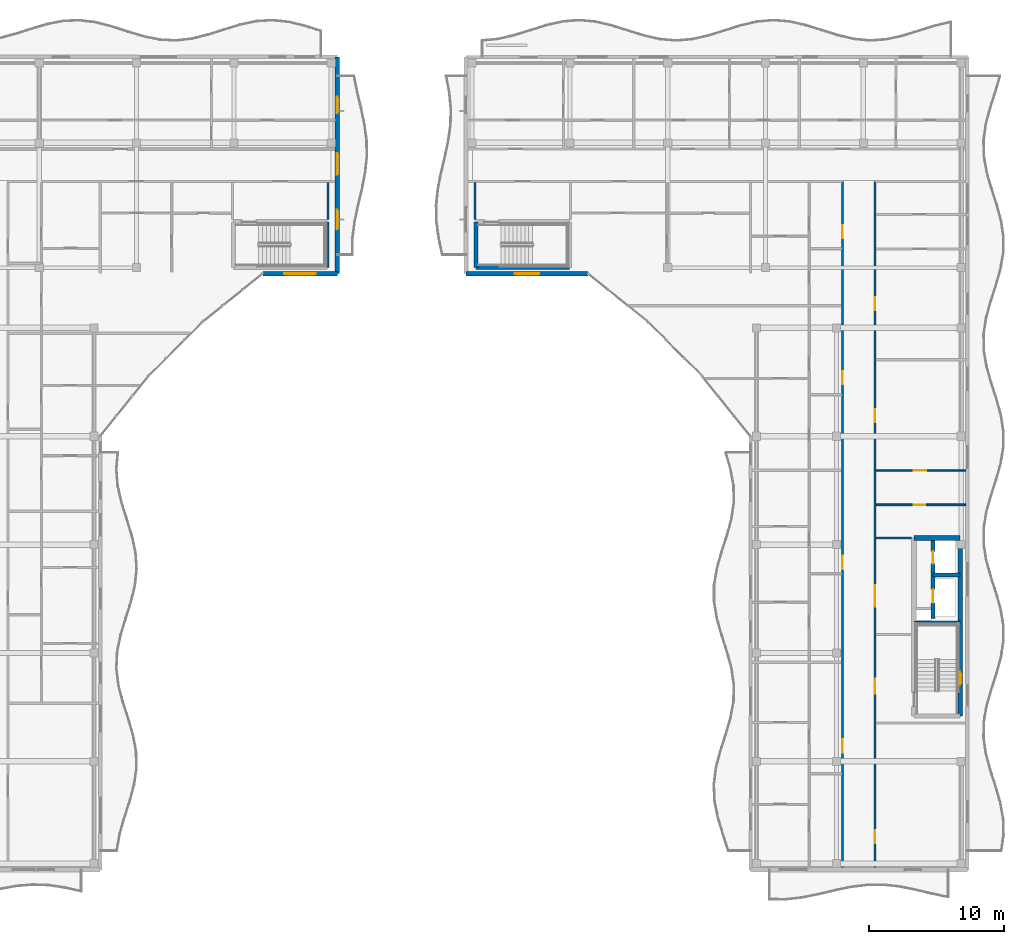
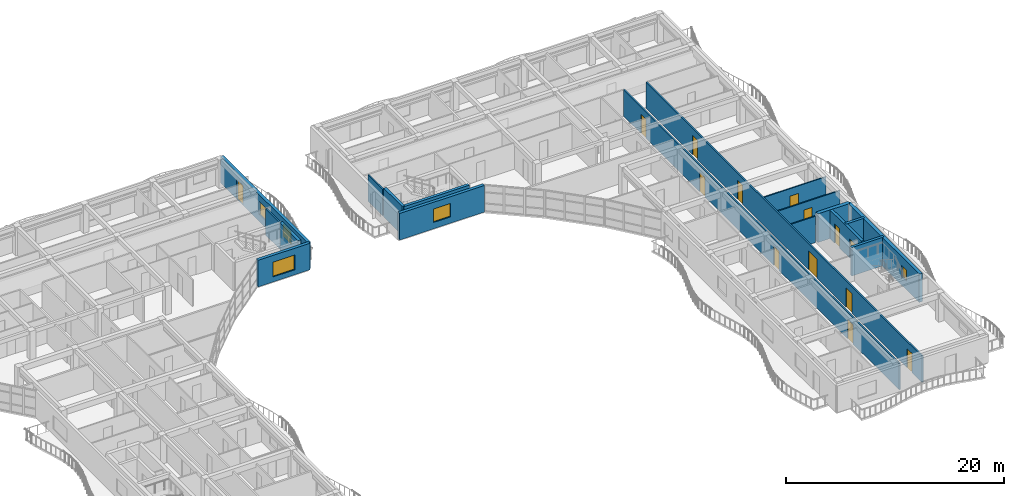
# One storey, part 44 of 76: 18 walls, 14 doors, 5 windows, 19 openings.
"""IFC4 building model written with IfcOpenShell, lengths in metres."""

from ifc_helpers import new_model, si_unit, direction, frame, frame_2d, origin, place, context, subcontext, project, spatial, rectangle, extrude, material, layer, layer_set, type_object, element, fill, save


model = new_model("IFC4")

# Units and contexts
model_context = context("Model", 3, precision=1e-05, world=origin(), true_north=direction((0.0, 1.0)))
body_context = subcontext(model_context, "Body", "Model", "MODEL_VIEW")
ifc_project = project(units=[si_unit("LENGTHUNIT", "METRE"), si_unit("AREAUNIT", "SQUARE_METRE"), si_unit("VOLUMEUNIT", "CUBIC_METRE"), si_unit("PLANEANGLEUNIT", "RADIAN"), si_unit("MASSUNIT", "GRAM", prefix="KILO")], contexts=[model_context])

# Site, building, storey
site_placement = place(None, origin())
site = spatial("IfcSite", under=ifc_project, at=site_placement, CompositionType="ELEMENT")
building_placement = place(site_placement, origin())
building = spatial("IfcBuilding", under=site, at=building_placement, Name="Keldmere Railside Commons", CompositionType="ELEMENT")
storey_placement = place(building_placement, frame((0.0, 0.0, 13.760009765625)))
storey = spatial("IfcBuildingStorey", under=building, at=storey_placement, Name="L04", CompositionType="ELEMENT", Elevation=13.760009765625)

# Wall, opening, door
ifc_material_1 = material(Name="Acoustic Gypsum Board Partition", Category="gypsum")
ifc_layer_1 = layer(ifc_material_1, 0.1201171875, Name="Apartment Interior Partition 120")
ifc_layer_set_1 = layer_set([ifc_layer_1], Name="Acoustic Gypsum Board Partition")
wall_type_1 = type_object("IfcWallType", Name="Apartment Interior Partition 120", PredefinedType="PARTITIONING", material=ifc_layer_set_1)
wall_1_placement = place(storey_placement, frame((177.280029296875, 85.47998046875, 0.0), z_axis=(0.0, 0.0, 1.0), x_axis=(1.0, 0.0, 0.0)))
wall_1 = element("IfcWall", 1, at=wall_1_placement, inside=storey, type_object=wall_type_1, Name="IW-4 IW-L04-1590", PredefinedType="PARTITIONING", context=body_context, shape_type="SweptSolid", body=[
    extrude(rectangle(XDim=6.599853515625, YDim=0.1201171875, at=frame_2d((3.2998046875, 0.0))), origin(), (0.0, 0.0, 1.0), 2.93505859375),
])
opening_1_placement = place(wall_1_placement, frame((2.77197265625, 0.0, 0.0)))
opening_1 = element("IfcOpeningElement", 2, at=opening_1_placement, cuts=wall_1, Name="Opening ID-03", PredefinedType="OPENING", context=body_context, shape_type="SweptSolid", body=[
    extrude(rectangle(XDim=0.919921875, YDim=2.10009765625, at=frame_2d((0.4599609375, 1.050048828125))), frame((0.0, 0.070068359375, 0.0), z_axis=(0.0, -1.0, 0.0), x_axis=(1.0, 0.0, 0.0)), (0.0, 0.0, 1.0), 0.14013671875),
])
ifc_material_2 = material(Name="Engineered Oak Timber", Category="wood")
door_type_1 = type_object("IfcDoorType", Name="Kitchen Pocket-Frame Swing Door 920x2100", OperationType="NOTDEFINED", PredefinedType="DOOR", material=ifc_material_2)
door_1_placement = place(opening_1_placement, origin())
door_1 = element("IfcDoor", 3, at=door_1_placement, inside=storey, type_object=door_type_1, Name="ID-03 IDR-L04-1440", OperationType="SINGLE_SWING_RIGHT", OverallHeight=2.10009765625, OverallWidth=0.919921875, PredefinedType="DOOR", context=body_context, shape_type="SweptSolid", body=[
    extrude(rectangle(XDim=0.919921875, YDim=2.10009765625, at=frame_2d((0.4599609375, 1.050048828125))), frame((0.0, 0.02490234375, 0.0), z_axis=(0.0, -1.0, 0.0), x_axis=(1.0, 0.0, 0.0)), (0.0, 0.0, 1.0), 0.050048828125),
])
fill(opening_1, door_1)

# Walls
ifc_material_3 = material(Name="Concrete H-35 (C35/45)", Category="concrete")
ifc_layer_2 = layer(ifc_material_3, 0.280029296875, Name="Core Shear Wall 280")
ifc_layer_set_2 = layer_set([ifc_layer_2], Name="Concrete H-35 (C35/45)")
wall_type_2 = type_object("IfcWallType", Name="Core Shear Wall 280", PredefinedType="SHEAR", material=ifc_layer_set_2)
wall_2_placement = place(storey_placement, frame((180.06005859375, 74.239990234375, 0.0), z_axis=(0.0, 0.0, 1.0), x_axis=(1.0, 0.0, 0.0)))
element("IfcWall", 4, at=wall_2_placement, inside=storey, type_object=wall_type_2, Name="CSW-2 COREAM-L04-0760", PredefinedType="SHEAR", context=body_context, shape_type="SweptSolid", body=[
    extrude(rectangle(XDim=3.409912109375, YDim=0.280029296875, at=frame_2d((1.705078125, 0.0))), origin(), (0.0, 0.0, 1.0), 3.199951171875),
])
wall_3_placement = place(storey_placement, frame((181.469970703125, 77.75, 0.0), z_axis=(0.0, 0.0, 1.0), x_axis=(1.0, 0.0, 0.0)))
element("IfcWall", 5, at=wall_3_placement, inside=storey, type_object=wall_type_2, Name="CSW-2 COREAL-L04-0761", PredefinedType="SHEAR", context=body_context, shape_type="SweptSolid", body=[
    extrude(rectangle(XDim=2.0, YDim=0.280029296875, at=frame_2d((1.0, 0.0))), origin(), (0.0, 0.0, 1.0), 3.199951171875),
])

# Wall, openings, doors
wall_4_placement = place(storey_placement, frame((181.469970703125, 74.550048828125, 0.0), z_axis=(0.0, 0.0, 1.0), x_axis=(0.0, 1.0, 0.0)))
wall_4 = element("IfcWall", 6, at=wall_4_placement, inside=storey, type_object=wall_type_2, Name="CSW-2 LSHA-L04-0762", PredefinedType="SHEAR", context=body_context, shape_type="SweptSolid", body=[
    extrude(rectangle(XDim=5.949951171875, YDim=0.280029296875, at=frame_2d((2.97509765625, 0.0))), origin(), (0.0, 0.0, 1.0), 3.199951171875),
])
opening_2_placement = place(wall_4_placement, frame((1.14990234375, 0.0, 0.0)))
opening_2 = element("IfcOpeningElement", 7, at=opening_2_placement, cuts=wall_4, Name="Opening LD-1", PredefinedType="OPENING", context=body_context, shape_type="SweptSolid", body=[
    extrude(rectangle(XDim=1.0, YDim=2.14990234375, at=frame_2d((0.5, 1.074951171875))), frame((0.0, 0.14990234375, 0.0), z_axis=(0.0, -1.0, 0.0), x_axis=(1.0, 0.0, 0.0)), (0.0, 0.0, 1.0), 0.300048828125),
])
opening_3_placement = place(wall_4_placement, frame((4.050048828125, 0.0, 0.0)))
opening_3 = element("IfcOpeningElement", 8, at=opening_3_placement, cuts=wall_4, Name="Opening LD-2", PredefinedType="OPENING", context=body_context, shape_type="SweptSolid", body=[
    extrude(rectangle(XDim=0.89990234375, YDim=2.14990234375, at=frame_2d((0.449951171875, 1.074951171875))), frame((0.0, 0.14990234375, 0.0), z_axis=(0.0, -1.0, 0.0), x_axis=(1.0, 0.0, 0.0)), (0.0, 0.0, 1.0), 0.300048828125),
])
ifc_material_4 = material(Name="Steel F-24 (S235)", Category="steel")
door_type_2 = type_object("IfcDoorType", Name="Firefighting Stretcher Lift Landing Door 1000x2150", OperationType="SLIDING_TO_LEFT", PredefinedType="DOOR", material=ifc_material_4)
door_2_placement = place(opening_2_placement, origin())
door_2 = element("IfcDoor", 9, at=door_2_placement, inside=storey, type_object=door_type_2, Name="LD-1 A L04", OperationType="SLIDING_TO_LEFT", OverallHeight=2.14990234375, OverallWidth=1.0, PredefinedType="DOOR", context=body_context, shape_type="SweptSolid", body=[
    extrude(rectangle(XDim=1.0, YDim=2.14990234375, at=frame_2d((0.5, 1.074951171875))), frame((0.0, 0.02490234375, 0.0), z_axis=(0.0, -1.0, 0.0), x_axis=(1.0, 0.0, 0.0)), (0.0, 0.0, 1.0), 0.050048828125),
])
fill(opening_2, door_2)
door_type_3 = type_object("IfcDoorType", Name="Passenger Lift Sliding Landing Door 900x2150", OperationType="SLIDING_TO_RIGHT", PredefinedType="DOOR", material=ifc_material_4)
door_3_placement = place(opening_3_placement, origin())
door_3 = element("IfcDoor", 10, at=door_3_placement, inside=storey, type_object=door_type_3, Name="LD-2 A L04", OperationType="SLIDING_TO_RIGHT", OverallHeight=2.14990234375, OverallWidth=0.89990234375, PredefinedType="DOOR", context=body_context, shape_type="SweptSolid", body=[
    extrude(rectangle(XDim=0.89990234375, YDim=2.14990234375, at=frame_2d((0.449951171875, 1.074951171875))), frame((0.0, 0.02490234375, 0.0), z_axis=(0.0, -1.0, 0.0), x_axis=(1.0, 0.0, 0.0)), (0.0, 0.0, 1.0), 0.050048828125),
])
fill(opening_3, door_3)

# Wall
ifc_material_5 = material(Name="Concrete H-40 (C40/50)", Category="concrete")
ifc_layer_3 = layer(ifc_material_5, 0.3798828125, Name="Core Shear Wall 380")
ifc_layer_set_3 = layer_set([ifc_layer_3], Name="Concrete H-40 (C40/50)")
wall_type_3 = type_object("IfcWallType", Name="Core Shear Wall 380", PredefinedType="SHEAR", material=ifc_layer_set_3)
wall_5_placement = place(storey_placement, frame((180.06005859375, 80.5, 0.0), z_axis=(0.0, 0.0, 1.0), x_axis=(1.0, 0.0, 0.0)))
element("IfcWall", 11, at=wall_5_placement, inside=storey, type_object=wall_type_3, Name="CW-CORE COREAN-L04-0757", PredefinedType="SHEAR", context=body_context, shape_type="SweptSolid", body=[
    extrude(rectangle(XDim=3.409912109375, YDim=0.3798828125, at=frame_2d((1.705078125, 0.0))), origin(), (0.0, 0.0, 1.0), 3.199951171875),
])

# Wall, openings, doors
ifc_layer_4 = layer(ifc_material_1, 0.159912109375, Name="Corridor Fire Partition 160")
ifc_layer_set_4 = layer_set([ifc_layer_4], Name="Acoustic Gypsum Board Partition")
wall_type_4 = type_object("IfcWallType", Name="Corridor Fire Partition 160", PredefinedType="PARTITIONING", material=ifc_layer_set_4)
wall_6_placement = place(storey_placement, frame((174.800048828125, 56.159912109375, 0.0), z_axis=(0.0, 0.0, 1.0), x_axis=(0.0, 1.0, 0.0)))
wall_6 = element("IfcWall", 12, at=wall_6_placement, inside=storey, type_object=wall_type_4, Name="IW-2 IW-L04-1549", PredefinedType="PARTITIONING", context=body_context, shape_type="SweptSolid", body=[
    extrude(rectangle(XDim=50.64013671875, YDim=0.159912109375, at=frame_2d((25.320068359375, 0.0))), origin(), (0.0, 0.0, 1.0), 2.93505859375),
])
opening_4_placement = place(wall_6_placement, frame((8.489990234375, 0.0, 0.0)))
opening_4 = element("IfcOpeningElement", 13, at=opening_4_placement, cuts=wall_6, Name="Opening FD-7", PredefinedType="OPENING", context=body_context, shape_type="SweptSolid", body=[
    extrude(rectangle(XDim=0.97998046875, YDim=2.14990234375, at=frame_2d((0.489990234375, 1.074951171875))), frame((0.0, 0.08984375, 0.0), z_axis=(0.0, -1.0, 0.0), x_axis=(1.0, 0.0, 0.0)), (0.0, 0.0, 1.0), 0.179931640625),
])
opening_5_placement = place(wall_6_placement, frame((22.0400390625, 0.0, 0.0)))
opening_5 = element("IfcOpeningElement", 14, at=opening_5_placement, cuts=wall_6, Name="Opening FD-7", PredefinedType="OPENING", context=body_context, shape_type="SweptSolid", body=[
    extrude(rectangle(XDim=0.97998046875, YDim=2.14990234375, at=frame_2d((0.489990234375, 1.074951171875))), frame((0.0, 0.08984375, 0.0), z_axis=(0.0, -1.0, 0.0), x_axis=(1.0, 0.0, 0.0)), (0.0, 0.0, 1.0), 0.179931640625),
])
opening_6_placement = place(wall_6_placement, frame((35.659912109375, 0.0, 0.0)))
opening_6 = element("IfcOpeningElement", 15, at=opening_6_placement, cuts=wall_6, Name="Opening FD-7", PredefinedType="OPENING", context=body_context, shape_type="SweptSolid", body=[
    extrude(rectangle(XDim=0.97998046875, YDim=2.14990234375, at=frame_2d((0.489990234375, 1.074951171875))), frame((0.0, 0.08984375, 0.0), z_axis=(0.0, -1.0, 0.0), x_axis=(1.0, 0.0, 0.0)), (0.0, 0.0, 1.0), 0.179931640625),
])
opening_7_placement = place(wall_6_placement, frame((46.43994140625, 0.0, 0.0)))
opening_7 = element("IfcOpeningElement", 16, at=opening_7_placement, cuts=wall_6, Name="Opening FD-7", PredefinedType="OPENING", context=body_context, shape_type="SweptSolid", body=[
    extrude(rectangle(XDim=0.97998046875, YDim=2.14990234375, at=frame_2d((0.489990234375, 1.074951171875))), frame((0.0, 0.08984375, 0.0), z_axis=(0.0, -1.0, 0.0), x_axis=(1.0, 0.0, 0.0)), (0.0, 0.0, 1.0), 0.179931640625),
])
door_type_4 = type_object("IfcDoorType", Name="Apartment Entrance Acoustic Fire Door 980x2150", OperationType="NOTDEFINED", PredefinedType="DOOR", material=ifc_material_2)
door_4_placement = place(opening_4_placement, origin())
door_4 = element("IfcDoor", 17, at=door_4_placement, inside=storey, type_object=door_type_4, Name="FD-7 IDR-L04-1403", OperationType="SINGLE_SWING_LEFT", OverallHeight=2.14990234375, OverallWidth=0.97998046875, PredefinedType="DOOR", context=body_context, shape_type="SweptSolid", body=[
    extrude(rectangle(XDim=0.97998046875, YDim=2.14990234375, at=frame_2d((0.489990234375, 1.074951171875))), frame((0.0, 0.02490234375, 0.0), z_axis=(0.0, -1.0, 0.0), x_axis=(1.0, 0.0, 0.0)), (0.0, 0.0, 1.0), 0.050048828125),
])
fill(opening_4, door_4)
door_5_placement = place(opening_5_placement, origin())
door_5 = element("IfcDoor", 18, at=door_5_placement, inside=storey, type_object=door_type_4, Name="FD-7 IDR-L04-1408", OperationType="SINGLE_SWING_RIGHT", OverallHeight=2.14990234375, OverallWidth=0.97998046875, PredefinedType="DOOR", context=body_context, shape_type="SweptSolid", body=[
    extrude(rectangle(XDim=0.97998046875, YDim=2.14990234375, at=frame_2d((0.489990234375, 1.074951171875))), frame((0.0, 0.02490234375, 0.0), z_axis=(0.0, -1.0, 0.0), x_axis=(1.0, 0.0, 0.0)), (0.0, 0.0, 1.0), 0.050048828125),
])
fill(opening_5, door_5)
door_6_placement = place(opening_6_placement, origin())
door_6 = element("IfcDoor", 19, at=door_6_placement, inside=storey, type_object=door_type_4, Name="FD-7 IDR-L04-1413", OperationType="SINGLE_SWING_LEFT", OverallHeight=2.14990234375, OverallWidth=0.97998046875, PredefinedType="DOOR", context=body_context, shape_type="SweptSolid", body=[
    extrude(rectangle(XDim=0.97998046875, YDim=2.14990234375, at=frame_2d((0.489990234375, 1.074951171875))), frame((0.0, 0.02490234375, 0.0), z_axis=(0.0, -1.0, 0.0), x_axis=(1.0, 0.0, 0.0)), (0.0, 0.0, 1.0), 0.050048828125),
])
fill(opening_6, door_6)
door_7_placement = place(opening_7_placement, origin())
door_7 = element("IfcDoor", 20, at=door_7_placement, inside=storey, type_object=door_type_4, Name="FD-7 IDR-L04-1417", OperationType="SINGLE_SWING_LEFT", OverallHeight=2.14990234375, OverallWidth=0.97998046875, PredefinedType="DOOR", context=body_context, shape_type="SweptSolid", body=[
    extrude(rectangle(XDim=0.97998046875, YDim=2.14990234375, at=frame_2d((0.489990234375, 1.074951171875))), frame((0.0, 0.02490234375, 0.0), z_axis=(0.0, -1.0, 0.0), x_axis=(1.0, 0.0, 0.0)), (0.0, 0.0, 1.0), 0.050048828125),
])
fill(opening_7, door_7)

wall_7_placement = place(storey_placement, frame((177.199951171875, 56.159912109375, 0.0), z_axis=(0.0, 0.0, 1.0), x_axis=(0.0, 1.0, 0.0)))
wall_7 = element("IfcWall", 21, at=wall_7_placement, inside=storey, type_object=wall_type_4, Name="IW-2 IW-L04-1550", PredefinedType="PARTITIONING", context=body_context, shape_type="SweptSolid", body=[
    extrude(rectangle(XDim=50.64013671875, YDim=0.159912109375, at=frame_2d((25.320068359375, 0.0))), origin(), (0.0, 0.0, 1.0), 2.93505859375),
])
opening_8_placement = place(wall_7_placement, frame((12.840087890625, 0.0, 0.0)))
opening_8 = element("IfcOpeningElement", 22, at=opening_8_placement, cuts=wall_7, Name="Opening FD-2", PredefinedType="OPENING", context=body_context, shape_type="SweptSolid", body=[
    extrude(rectangle(XDim=1.10009765625, YDim=2.14990234375, at=frame_2d((0.550048828125, 1.074951171875))), frame((0.0, 0.08984375, 0.0), z_axis=(0.0, -1.0, 0.0), x_axis=(1.0, 0.0, 0.0)), (0.0, 0.0, 1.0), 0.179931640625),
])
opening_9_placement = place(wall_7_placement, frame((19.239990234375, 0.0, 0.0)))
opening_9 = element("IfcOpeningElement", 23, at=opening_9_placement, cuts=wall_7, Name="Opening FD-4", PredefinedType="OPENING", context=body_context, shape_type="SweptSolid", body=[
    extrude(rectangle(XDim=1.60009765625, YDim=2.14990234375, at=frame_2d((0.800048828125, 1.074951171875))), frame((0.0, 0.08984375, 0.0), z_axis=(0.0, -1.0, 0.0), x_axis=(1.0, 0.0, 0.0)), (0.0, 0.0, 1.0), 0.179931640625),
])
opening_10_placement = place(wall_7_placement, frame((1.800048828125, 0.0, 0.0)))
opening_10 = element("IfcOpeningElement", 24, at=opening_10_placement, cuts=wall_7, Name="Opening ID-08", PredefinedType="OPENING", context=body_context, shape_type="SweptSolid", body=[
    extrude(rectangle(XDim=0.9599609375, YDim=2.14990234375, at=frame_2d((0.47998046875, 1.074951171875))), frame((0.0, 0.08984375, 0.0), z_axis=(0.0, -1.0, 0.0), x_axis=(1.0, 0.0, 0.0)), (0.0, 0.0, 1.0), 0.179931640625),
])
opening_11_placement = place(wall_7_placement, frame((32.8701171875, 0.0, 0.0)))
opening_11 = element("IfcOpeningElement", 25, at=opening_11_placement, cuts=wall_7, Name="Opening FD-7", PredefinedType="OPENING", context=body_context, shape_type="SweptSolid", body=[
    extrude(rectangle(XDim=0.97998046875, YDim=2.14990234375, at=frame_2d((0.489990234375, 1.074951171875))), frame((0.0, 0.08984375, 0.0), z_axis=(0.0, -1.0, 0.0), x_axis=(1.0, 0.0, 0.0)), (0.0, 0.0, 1.0), 0.179931640625),
])
opening_12_placement = place(wall_7_placement, frame((41.1298828125, 0.0, 0.0)))
opening_12 = element("IfcOpeningElement", 26, at=opening_12_placement, cuts=wall_7, Name="Opening FD-7", PredefinedType="OPENING", context=body_context, shape_type="SweptSolid", body=[
    extrude(rectangle(XDim=0.97998046875, YDim=2.14990234375, at=frame_2d((0.489990234375, 1.074951171875))), frame((0.0, 0.08984375, 0.0), z_axis=(0.0, -1.0, 0.0), x_axis=(1.0, 0.0, 0.0)), (0.0, 0.0, 1.0), 0.179931640625),
])
door_8_placement = place(opening_11_placement, origin())
door_8 = element("IfcDoor", 27, at=door_8_placement, inside=storey, type_object=door_type_4, Name="FD-7 IDR-L04-1441", OperationType="SINGLE_SWING_LEFT", OverallHeight=2.14990234375, OverallWidth=0.97998046875, PredefinedType="DOOR", context=body_context, shape_type="SweptSolid", body=[
    extrude(rectangle(XDim=0.97998046875, YDim=2.14990234375, at=frame_2d((0.489990234375, 1.074951171875))), frame((0.0, 0.02490234375, 0.0), z_axis=(0.0, -1.0, 0.0), x_axis=(1.0, 0.0, 0.0)), (0.0, 0.0, 1.0), 0.050048828125),
])
fill(opening_11, door_8)
door_9_placement = place(opening_12_placement, origin())
door_9 = element("IfcDoor", 28, at=door_9_placement, inside=storey, type_object=door_type_4, Name="FD-7 IDR-L04-1444", OperationType="SINGLE_SWING_RIGHT", OverallHeight=2.14990234375, OverallWidth=0.97998046875, PredefinedType="DOOR", context=body_context, shape_type="SweptSolid", body=[
    extrude(rectangle(XDim=0.97998046875, YDim=2.14990234375, at=frame_2d((0.489990234375, 1.074951171875))), frame((0.0, 0.02490234375, 0.0), z_axis=(0.0, -1.0, 0.0), x_axis=(1.0, 0.0, 0.0)), (0.0, 0.0, 1.0), 0.050048828125),
])
fill(opening_12, door_9)
door_type_5 = type_object("IfcDoorType", Name="Corridor Cross-Compartment Double Fire Door 1600x2150", OperationType="DOUBLE_DOOR_SINGLE_SWING", PredefinedType="DOOR", material=ifc_material_4)
door_10_placement = place(opening_9_placement, origin())
door_10 = element("IfcDoor", 29, at=door_10_placement, inside=storey, type_object=door_type_5, Name="FD-4 IDR-L04-1400", OperationType="DOUBLE_DOOR_SINGLE_SWING", OverallHeight=2.14990234375, OverallWidth=1.60009765625, PredefinedType="DOOR", context=body_context, shape_type="SweptSolid", body=[
    extrude(rectangle(XDim=1.60009765625, YDim=2.14990234375, at=frame_2d((0.800048828125, 1.074951171875))), frame((0.0, 0.02490234375, 0.0), z_axis=(0.0, -1.0, 0.0), x_axis=(1.0, 0.0, 0.0)), (0.0, 0.0, 1.0), 0.050048828125),
])
fill(opening_9, door_10)
door_type_6 = type_object("IfcDoorType", Name="Firefighting Lobby Fire Door 1100x2150", OperationType="NOTDEFINED", PredefinedType="DOOR", material=ifc_material_4)
door_11_placement = place(opening_8_placement, origin())
door_11 = element("IfcDoor", 30, at=door_11_placement, inside=storey, type_object=door_type_6, Name="FD-2 IDR-L04-1399", OperationType="SINGLE_SWING_LEFT", OverallHeight=2.14990234375, OverallWidth=1.10009765625, PredefinedType="DOOR", context=body_context, shape_type="SweptSolid", body=[
    extrude(rectangle(XDim=1.10009765625, YDim=2.14990234375, at=frame_2d((0.550048828125, 1.074951171875))), frame((0.0, 0.02490234375, 0.0), z_axis=(0.0, -1.0, 0.0), x_axis=(1.0, 0.0, 0.0)), (0.0, 0.0, 1.0), 0.050048828125),
])
fill(opening_8, door_11)
door_type_7 = type_object("IfcDoorType", Name="Study & Meeting Room Door 960x2150", OperationType="NOTDEFINED", PredefinedType="DOOR", material=ifc_material_2)
door_12_placement = place(opening_10_placement, origin())
door_12 = element("IfcDoor", 31, at=door_12_placement, inside=storey, type_object=door_type_7, Name="ID-08 IDR-L04-1438", OperationType="SINGLE_SWING_RIGHT", OverallHeight=2.14990234375, OverallWidth=0.9599609375, PredefinedType="DOOR", context=body_context, shape_type="SweptSolid", body=[
    extrude(rectangle(XDim=0.9599609375, YDim=2.14990234375, at=frame_2d((0.47998046875, 1.074951171875))), frame((0.0, 0.02490234375, 0.0), z_axis=(0.0, -1.0, 0.0), x_axis=(1.0, 0.0, 0.0)), (0.0, 0.0, 1.0), 0.050048828125),
])
fill(opening_10, door_12)

# Wall, opening, window
ifc_layer_5 = layer(ifc_material_3, 0.320068359375, Name="Exterior Shear Wall 320")
ifc_layer_set_5 = layer_set([ifc_layer_5], Name="Concrete H-35 (C35/45)")
wall_type_5 = type_object("IfcWallType", Name="Exterior Shear Wall 320", PredefinedType="SHEAR", material=ifc_layer_set_5)
wall_8_placement = place(storey_placement, frame((137.5, 100.0, 0.0), z_axis=(0.0, 0.0, 1.0), x_axis=(-1.0, 0.0, 0.0)))
wall_8 = element("IfcWall", 32, at=wall_8_placement, inside=storey, type_object=wall_type_5, Name="ESW-2 EXTB-L04-0613", PredefinedType="SHEAR", context=body_context, shape_type="SweptSolid", body=[
    extrude(rectangle(XDim=5.5, YDim=0.320068359375, at=frame_2d((2.75, 0.0))), origin(), (0.0, 0.0, 1.0), 2.97998046875),
])
opening_13_placement = place(wall_8_placement, frame((1.60009765625, 0.0, 0.570068359375)))
opening_13 = element("IfcOpeningElement", 33, at=opening_13_placement, cuts=wall_8, Name="Opening WN-23", PredefinedType="OPENING", context=body_context, shape_type="SweptSolid", body=[
    extrude(rectangle(XDim=2.300048828125, YDim=1.64990234375, at=frame_2d((1.14990234375, 0.824951171875))), frame((0.0, 0.169921875, 0.0), z_axis=(0.0, -1.0, 0.0), x_axis=(1.0, 0.0, 0.0)), (0.0, 0.0, 1.0), 0.340087890625),
])
ifc_material_6 = material(Name="Low-E Insulated Double Glazing", Category="glass")
window_type_1 = type_object("IfcWindowType", Name="Setback Terrace Penthouse Window 2300x1650", PartitioningType="SINGLE_PANEL", PredefinedType="WINDOW", material=ifc_material_6)
window_1_placement = place(opening_13_placement, origin())
window_1 = element("IfcWindow", 34, at=window_1_placement, inside=storey, type_object=window_type_1, Name="WN-23 WIN-L04-0423", OverallHeight=1.64990234375, OverallWidth=2.300048828125, PartitioningType="SINGLE_PANEL", PredefinedType="WINDOW", context=body_context, shape_type="SweptSolid", body=[
    extrude(rectangle(XDim=2.300048828125, YDim=1.64990234375, at=frame_2d((1.14990234375, 0.824951171875))), frame((0.0, 0.030029296875, 0.0), z_axis=(0.0, -1.0, 0.0), x_axis=(1.0, 0.0, 0.0)), (0.0, 0.0, 1.0), 0.06005859375),
])
fill(opening_13, window_1)

# Wall, openings, door, windows
wall_9_placement = place(storey_placement, frame((137.5, 116.0, 0.0), z_axis=(0.0, 0.0, 1.0), x_axis=(0.0, -1.0, 0.0)))
wall_9 = element("IfcWall", 35, at=wall_9_placement, inside=storey, type_object=wall_type_5, Name="ESW-2 EXTB-L04-0614", PredefinedType="SHEAR", context=body_context, shape_type="SweptSolid", body=[
    extrude(rectangle(XDim=16.0, YDim=0.320068359375, at=frame_2d((8.0, 0.0))), origin(), (0.0, 0.0, 1.0), 2.97998046875),
])
opening_14_placement = place(wall_9_placement, frame((2.949951171875, 0.0, 0.0)))
opening_14 = element("IfcOpeningElement", 36, at=opening_14_placement, cuts=wall_9, Name="Opening BD-01", PredefinedType="OPENING", context=body_context, shape_type="SweptSolid", body=[
    extrude(rectangle(XDim=1.199951171875, YDim=2.199951171875, at=frame_2d((0.60009765625, 1.10009765625))), frame((0.0, 0.169921875, 0.0), z_axis=(0.0, -1.0, 0.0), x_axis=(1.0, 0.0, 0.0)), (0.0, 0.0, 1.0), 0.340087890625),
])
opening_15_placement = place(wall_9_placement, frame((7.10009765625, 0.0, 0.77001953125)))
opening_15 = element("IfcOpeningElement", 37, at=opening_15_placement, cuts=wall_9, Name="Opening WN-04", PredefinedType="OPENING", context=body_context, shape_type="SweptSolid", body=[
    extrude(rectangle(XDim=1.60009765625, YDim=1.449951171875, at=frame_2d((0.800048828125, 0.72509765625))), frame((0.0, 0.169921875, 0.0), z_axis=(0.0, -1.0, 0.0), x_axis=(1.0, 0.0, 0.0)), (0.0, 0.0, 1.0), 0.340087890625),
])
opening_16_placement = place(wall_9_placement, frame((11.27490234375, 0.0, 0.77001953125)))
opening_16 = element("IfcOpeningElement", 38, at=opening_16_placement, cuts=wall_9, Name="Opening WN-24", PredefinedType="OPENING", context=body_context, shape_type="SweptSolid", body=[
    extrude(rectangle(XDim=1.449951171875, YDim=1.449951171875, at=frame_2d((0.72509765625, 0.72509765625))), frame((0.0, 0.169921875, 0.0), z_axis=(0.0, -1.0, 0.0), x_axis=(1.0, 0.0, 0.0)), (0.0, 0.0, 1.0), 0.340087890625),
])
ifc_material_7 = material(Name="Thermally Broken Aluminium", Category="aluminium")
door_type_8 = type_object("IfcDoorType", Name="Apartment Living Wave-Balcony Glazed Door 1200x2200", OperationType="NOTDEFINED", PredefinedType="DOOR", material=ifc_material_7)
door_13_placement = place(opening_14_placement, origin())
door_13 = element("IfcDoor", 39, at=door_13_placement, inside=storey, type_object=door_type_8, Name="BD-01 DR-L04-0154", OperationType="SINGLE_SWING_RIGHT", OverallHeight=2.199951171875, OverallWidth=1.199951171875, PredefinedType="DOOR", context=body_context, shape_type="SweptSolid", body=[
    extrude(rectangle(XDim=1.199951171875, YDim=2.199951171875, at=frame_2d((0.60009765625, 1.10009765625))), frame((0.0, 0.02490234375, 0.0), z_axis=(0.0, -1.0, 0.0), x_axis=(1.0, 0.0, 0.0)), (0.0, 0.0, 1.0), 0.050048828125),
])
fill(opening_14, door_13)
window_type_2 = type_object("IfcWindowType", Name="Living Room West Shaded Window 1600x1450", PartitioningType="SINGLE_PANEL", PredefinedType="WINDOW", material=ifc_material_6)
window_2_placement = place(opening_15_placement, origin())
window_2 = element("IfcWindow", 40, at=window_2_placement, inside=storey, type_object=window_type_2, Name="WN-04 WIN-L04-0424", OverallHeight=1.449951171875, OverallWidth=1.60009765625, PartitioningType="SINGLE_PANEL", PredefinedType="WINDOW", context=body_context, shape_type="SweptSolid", body=[
    extrude(rectangle(XDim=1.60009765625, YDim=1.449951171875, at=frame_2d((0.800048828125, 0.72509765625))), frame((0.0, 0.030029296875, 0.0), z_axis=(0.0, -1.0, 0.0), x_axis=(1.0, 0.0, 0.0)), (0.0, 0.0, 1.0), 0.06005859375),
])
fill(opening_15, window_2)
window_type_3 = type_object("IfcWindowType", Name="Setback Terrace Bedroom Window 1450x1450", PartitioningType="SINGLE_PANEL", PredefinedType="WINDOW", material=ifc_material_6)
window_3_placement = place(opening_16_placement, origin())
window_3 = element("IfcWindow", 41, at=window_3_placement, inside=storey, type_object=window_type_3, Name="WN-24 WIN-L04-0425", OverallHeight=1.449951171875, OverallWidth=1.449951171875, PartitioningType="SINGLE_PANEL", PredefinedType="WINDOW", context=body_context, shape_type="SweptSolid", body=[
    extrude(rectangle(XDim=1.449951171875, YDim=1.449951171875, at=frame_2d((0.72509765625, 0.72509765625))), frame((0.0, 0.030029296875, 0.0), z_axis=(0.0, -1.0, 0.0), x_axis=(1.0, 0.0, 0.0)), (0.0, 0.0, 1.0), 0.06005859375),
])
fill(opening_16, window_3)

# Wall, opening, window
wall_10_placement = place(storey_placement, frame((156.0, 100.0, 0.0), z_axis=(0.0, 0.0, 1.0), x_axis=(-1.0, 0.0, 0.0)))
wall_10 = element("IfcWall", 42, at=wall_10_placement, inside=storey, type_object=wall_type_5, Name="ESW-2 EXTA-L04-0907", PredefinedType="SHEAR", context=body_context, shape_type="SweptSolid", body=[
    extrude(rectangle(XDim=9.0, YDim=0.320068359375, at=frame_2d((4.5, 0.0))), origin(), (0.0, 0.0, 1.0), 2.97998046875),
])
opening_17_placement = place(wall_10_placement, frame((3.60009765625, 0.0, 0.719970703125)))
opening_17 = element("IfcOpeningElement", 43, at=opening_17_placement, cuts=wall_10, Name="Opening WN-01", PredefinedType="OPENING", context=body_context, shape_type="SweptSolid", body=[
    extrude(rectangle(XDim=1.800048828125, YDim=1.5, at=frame_2d((0.89990234375, 0.75))), frame((0.0, 0.169921875, 0.0), z_axis=(0.0, -1.0, 0.0), x_axis=(1.0, 0.0, 0.0)), (0.0, 0.0, 1.0), 0.340087890625),
])
window_type_4 = type_object("IfcWindowType", Name="Living Room North Casement Window 1800x1500", PartitioningType="SINGLE_PANEL", PredefinedType="WINDOW", material=ifc_material_6)
window_4_placement = place(opening_17_placement, origin())
window_4 = element("IfcWindow", 44, at=window_4_placement, inside=storey, type_object=window_type_4, Name="WN-01 WIN-L04-0657", OverallHeight=1.5, OverallWidth=1.800048828125, PartitioningType="SINGLE_PANEL", PredefinedType="WINDOW", context=body_context, shape_type="SweptSolid", body=[
    extrude(rectangle(XDim=1.800048828125, YDim=1.5, at=frame_2d((0.89990234375, 0.75))), frame((0.0, 0.030029296875, 0.0), z_axis=(0.0, -1.0, 0.0), x_axis=(1.0, 0.0, 0.0)), (0.0, 0.0, 1.0), 0.06005859375),
])
fill(opening_17, window_4)

# Walls
ifc_layer_6 = layer(ifc_material_3, 0.300048828125, Name="Interior Shear Wall 300")
ifc_layer_set_6 = layer_set([ifc_layer_6], Name="Concrete H-35 (C35/45)")
wall_type_6 = type_object("IfcWallType", Name="Interior Shear Wall 300", PredefinedType="SHEAR", material=ifc_layer_set_6)
wall_11_placement = place(storey_placement, frame((136.75, 100.449951171875, 0.0), z_axis=(0.0, 0.0, 1.0), x_axis=(0.0, 1.0, 0.0)))
element("IfcWall", 45, at=wall_11_placement, inside=storey, type_object=wall_type_6, Name="ISW-2 COREB2E-L04-0491", PredefinedType="SHEAR", context=body_context, shape_type="SweptSolid", body=[
    extrude(rectangle(XDim=3.3701171875, YDim=0.300048828125, at=frame_2d((1.68505859375, 0.0))), origin(), (0.0, 0.0, 1.0), 3.199951171875),
])
wall_12_placement = place(storey_placement, frame((147.75, 100.449951171875, 0.0), z_axis=(0.0, 0.0, 1.0), x_axis=(1.0, 0.0, 0.0)))
element("IfcWall", 46, at=wall_12_placement, inside=storey, type_object=wall_type_6, Name="ISW-2 COREA2S-L04-0764", PredefinedType="SHEAR", context=body_context, shape_type="SweptSolid", body=[
    extrude(rectangle(XDim=6.89990234375, YDim=0.300048828125, at=frame_2d((3.449951171875, 0.0))), origin(), (0.0, 0.0, 1.0), 3.199951171875),
])
wall_13_placement = place(storey_placement, frame((147.75, 103.820068359375, 0.0), z_axis=(0.0, 0.0, 1.0), x_axis=(0.0, -1.0, 0.0)))
element("IfcWall", 47, at=wall_13_placement, inside=storey, type_object=wall_type_6, Name="ISW-2 COREA2W-L04-0766", PredefinedType="SHEAR", context=body_context, shape_type="SweptSolid", body=[
    extrude(rectangle(XDim=3.3701171875, YDim=0.300048828125, at=frame_2d((1.68505859375, 0.0))), origin(), (0.0, 0.0, 1.0), 3.199951171875),
])

# Wall, opening, window
ifc_layer_7 = layer(ifc_material_3, 0.340087890625, Name="Interior Shear Wall 340")
ifc_layer_set_7 = layer_set([ifc_layer_7], Name="Concrete H-35 (C35/45)")
wall_type_7 = type_object("IfcWallType", Name="Interior Shear Wall 340", PredefinedType="SHEAR", material=ifc_layer_set_7)
wall_14_placement = place(storey_placement, frame((183.469970703125, 80.5, 0.0), z_axis=(0.0, 0.0, 1.0), x_axis=(0.0, -1.0, 0.0)))
wall_14 = element("IfcWall", 48, at=wall_14_placement, inside=storey, type_object=wall_type_7, Name="ISW-1 COREAE-L04-0758", PredefinedType="SHEAR", context=body_context, shape_type="SweptSolid", body=[
    extrude(rectangle(XDim=13.14990234375, YDim=0.340087890625, at=frame_2d((6.574951171875, 0.0))), origin(), (0.0, 0.0, 1.0), 3.199951171875),
])
opening_18_placement = place(wall_14_placement, frame((9.89990234375, 0.0, 0.969970703125)))
opening_18 = element("IfcOpeningElement", 49, at=opening_18_placement, cuts=wall_14, Name="Opening WN-17", PredefinedType="OPENING", context=body_context, shape_type="SweptSolid", body=[
    extrude(rectangle(XDim=0.949951171875, YDim=1.25, at=frame_2d((0.47509765625, 0.625))), frame((0.0, 0.179931640625, 0.0), z_axis=(0.0, -1.0, 0.0), x_axis=(1.0, 0.0, 0.0)), (0.0, 0.0, 1.0), 0.360107421875),
])
window_type_5 = type_object("IfcWindowType", Name="Stair Core Natural Smoke-Vent Window 950x1250", PartitioningType="SINGLE_PANEL", PredefinedType="WINDOW", material=ifc_material_6)
window_5_placement = place(opening_18_placement, origin())
window_5 = element("IfcWindow", 50, at=window_5_placement, inside=storey, type_object=window_type_5, Name="WN-17 WIN-L04-0560", OverallHeight=1.25, OverallWidth=0.949951171875, PartitioningType="SINGLE_PANEL", PredefinedType="WINDOW", context=body_context, shape_type="SweptSolid", body=[
    extrude(rectangle(XDim=0.949951171875, YDim=1.25, at=frame_2d((0.47509765625, 0.625))), frame((0.0, 0.030029296875, 0.0), z_axis=(0.0, -1.0, 0.0), x_axis=(1.0, 0.0, 0.0)), (0.0, 0.0, 1.0), 0.06005859375),
])
fill(opening_18, window_5)

# Walls
ifc_layer_8 = layer(ifc_material_1, 0.14990234375, Name="Lobby Rated Partition 150")
ifc_layer_set_8 = layer_set([ifc_layer_8], Name="Acoustic Gypsum Board Partition")
wall_type_8 = type_object("IfcWallType", Name="Lobby Rated Partition 150", PredefinedType="PARTITIONING", material=ifc_layer_set_8)
wall_15_placement = place(storey_placement, frame((136.820068359375, 103.989990234375, 0.0), z_axis=(0.0, 0.0, 1.0), x_axis=(0.0, 1.0, 0.0)))
element("IfcWall", 51, at=wall_15_placement, inside=storey, type_object=wall_type_8, Name="IW-3 IW-L04-1062", PredefinedType="PARTITIONING", context=body_context, shape_type="SweptSolid", body=[
    extrude(rectangle(XDim=2.72998046875, YDim=0.14990234375, at=frame_2d((1.364990234375, 0.0))), origin(), (0.0, 0.0, 1.0), 2.93505859375),
])
wall_16_placement = place(storey_placement, frame((177.280029296875, 80.5, 0.0), z_axis=(0.0, 0.0, 1.0), x_axis=(1.0, 0.0, 0.0)))
element("IfcWall", 52, at=wall_16_placement, inside=storey, type_object=wall_type_8, Name="IW-3 IW-L04-1548", PredefinedType="PARTITIONING", context=body_context, shape_type="SweptSolid", body=[
    extrude(rectangle(XDim=2.590087890625, YDim=0.14990234375, at=frame_2d((1.294921875, 0.0))), origin(), (0.0, 0.0, 1.0), 2.93505859375),
])
wall_17_placement = place(storey_placement, frame((147.679931640625, 103.989990234375, 0.0), z_axis=(0.0, 0.0, 1.0), x_axis=(0.0, 1.0, 0.0)))
element("IfcWall", 53, at=wall_17_placement, inside=storey, type_object=wall_type_8, Name="IW-3 IW-L04-1555", PredefinedType="PARTITIONING", context=body_context, shape_type="SweptSolid", body=[
    extrude(rectangle(XDim=2.72998046875, YDim=0.14990234375, at=frame_2d((1.364990234375, 0.0))), origin(), (0.0, 0.0, 1.0), 2.93505859375),
])

# Wall, opening, door
ifc_layer_9 = layer(ifc_material_1, 0.139892578125, Name="Wet-Room Sanitary Partition 140")
ifc_layer_set_9 = layer_set([ifc_layer_9], Name="Acoustic Gypsum Board Partition")
wall_type_9 = type_object("IfcWallType", Name="Wet-Room Sanitary Partition 140", PredefinedType="PARTITIONING", material=ifc_layer_set_9)
wall_18_placement = place(storey_placement, frame((177.280029296875, 82.929931640625, 0.0), z_axis=(0.0, 0.0, 1.0), x_axis=(1.0, 0.0, 0.0)))
wall_18 = element("IfcWall", 54, at=wall_18_placement, inside=storey, type_object=wall_type_9, Name="IW-5 IW-L04-1589", PredefinedType="PARTITIONING", context=body_context, shape_type="SweptSolid", body=[
    extrude(rectangle(XDim=6.599853515625, YDim=0.139892578125, at=frame_2d((3.2998046875, 0.0))), origin(), (0.0, 0.0, 1.0), 2.93505859375),
])
opening_19_placement = place(wall_18_placement, frame((2.77197265625, 0.0, 0.0)))
opening_19 = element("IfcOpeningElement", 55, at=opening_19_placement, cuts=wall_18, Name="Opening ID-04", PredefinedType="OPENING", context=body_context, shape_type="SweptSolid", body=[
    extrude(rectangle(XDim=0.860107421875, YDim=2.10009765625, at=frame_2d((0.43017578125, 1.050048828125))), frame((0.0, 0.079833984375, 0.0), z_axis=(0.0, -1.0, 0.0), x_axis=(1.0, 0.0, 0.0)), (0.0, 0.0, 1.0), 0.159912109375),
])
door_type_9 = type_object("IfcDoorType", Name="Apartment Bathroom Door 860x2100", OperationType="NOTDEFINED", PredefinedType="DOOR", material=ifc_material_2)
door_14_placement = place(opening_19_placement, origin())
door_14 = element("IfcDoor", 56, at=door_14_placement, inside=storey, type_object=door_type_9, Name="ID-04 IDR-L04-1439", OperationType="SINGLE_SWING_LEFT", OverallHeight=2.10009765625, OverallWidth=0.860107421875, PredefinedType="DOOR", context=body_context, shape_type="SweptSolid", body=[
    extrude(rectangle(XDim=0.860107421875, YDim=2.10009765625, at=frame_2d((0.43017578125, 1.050048828125))), frame((0.0, 0.02490234375, 0.0), z_axis=(0.0, -1.0, 0.0), x_axis=(1.0, 0.0, 0.0)), (0.0, 0.0, 1.0), 0.050048828125),
])
fill(opening_19, door_14)

save(model, "model.ifc")
